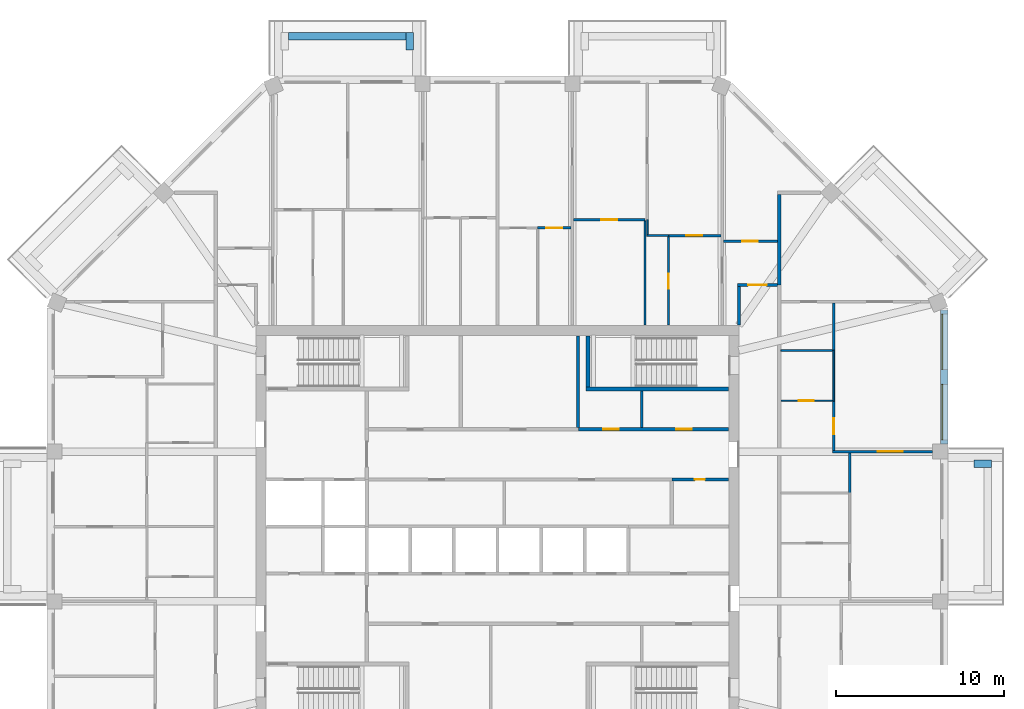
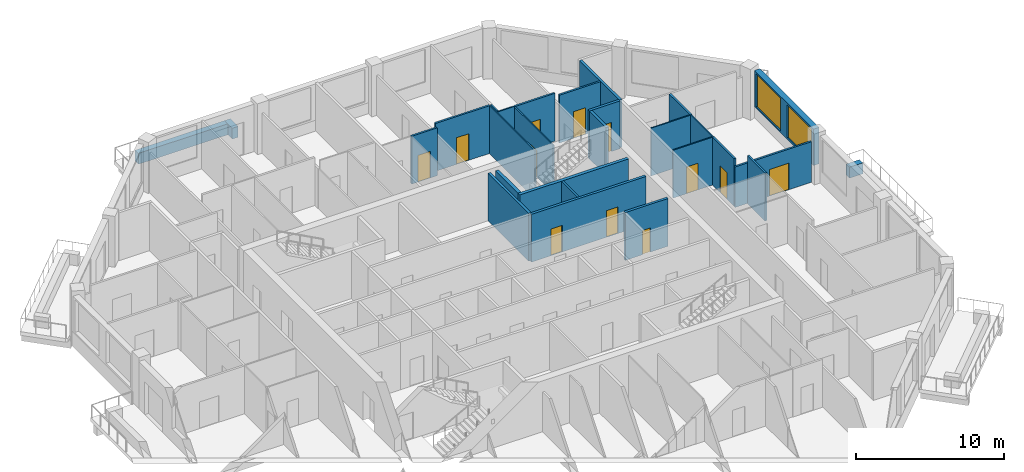
# One storey, part 9 of 13: 28 walls, 12 doors, 2 windows, 14 openings.
"""IFC4 building model written with IfcOpenShell, lengths in metres."""

from ifc_helpers import new_model, si_unit, direction, frame, frame_2d, origin, place, context, subcontext, project, spatial, rectangle, extrude, material, layer, layer_set, type_object, element, fill, save


model = new_model("IFC4")

# Units and contexts
model_context = context("Model", 3, precision=1e-05, world=origin(), true_north=direction((0.0, 1.0)))
body_context = subcontext(model_context, "Body", "Model", "MODEL_VIEW")
ifc_project = project(units=[si_unit("LENGTHUNIT", "METRE"), si_unit("AREAUNIT", "SQUARE_METRE"), si_unit("VOLUMEUNIT", "CUBIC_METRE"), si_unit("PLANEANGLEUNIT", "RADIAN"), si_unit("MASSUNIT", "GRAM", prefix="KILO")], contexts=[model_context])

# Site, building, storey
site_placement = place(None, origin())
site = spatial("IfcSite", under=ifc_project, at=site_placement, CompositionType="ELEMENT")
building_placement = place(site_placement, origin())
building = spatial("IfcBuilding", under=site, at=building_placement, Name="Msitu Wima Residences", CompositionType="ELEMENT")
storey_placement = place(building_placement, frame((0.0, 0.0, 289.5)))
storey = spatial("IfcBuildingStorey", under=building, at=storey_placement, Name="L67", CompositionType="ELEMENT", Elevation=289.5)

# Walls
ifc_material_1 = material(Name="Facing brick")
ifc_layer_1 = layer(ifc_material_1, 0.06494140625, Name="Facing brick")
ifc_material_2 = material(Name="Concrete C40/50", Category="concrete")
ifc_layer_2 = layer(ifc_material_2, 0.156005859375, Name="Concrete C40/50")
ifc_material_3 = material(Name="Waterproofing membrane")
ifc_layer_3 = layer(ifc_material_3, 0.00390625, Name="Waterproofing membrane")
ifc_material_4 = material(Name="Planting soil and planting")
ifc_layer_4 = layer(ifc_material_4, 0.22509765625, Name="Planting soil and planting")
ifc_layer_set_1 = layer_set([ifc_layer_1, ifc_layer_2, ifc_layer_3, ifc_layer_4], Name="Concrete C40/50")
wall_type_1 = type_object("IfcWallType", Name="Balcony planter PLANTER PL450", PredefinedType="USERDEFINED", material=ifc_layer_set_1)
wall_1_placement = place(storey_placement, frame((28.39990234375, 3.74365234375, 0.0), z_axis=(0.0, 0.0, 1.0), x_axis=(1.0, 0.0, 0.0)))
element("IfcWall", 1, at=wall_1_placement, inside=storey, type_object=wall_type_1, Name="Balcony planter E1 L67", ObjectType="PLANTER", PredefinedType="USERDEFINED", context=body_context, shape_type="SweptSolid", body=[
    extrude(rectangle(XDim=1.050048828125, YDim=0.449951171875, at=frame_2d((0.52490234375, 0.0))), origin(), (0.0, 0.0, 1.0), 0.89990234375),
])
wall_2_placement = place(storey_placement, frame((-5.468505859375, 29.22509765625, 0.0), z_axis=(0.0, 0.0, 1.0), x_axis=(-1.0, 0.0, 0.0)))
element("IfcWall", 2, at=wall_2_placement, inside=storey, type_object=wall_type_1, Name="Balcony planter N2 L67", ObjectType="PLANTER", PredefinedType="USERDEFINED", context=body_context, shape_type="SweptSolid", body=[
    extrude(rectangle(XDim=6.9873046875, YDim=0.449951171875, at=frame_2d((3.49365234375, 0.0))), origin(), (0.0, 0.0, 1.0), 0.89990234375),
])
wall_3_placement = place(storey_placement, frame((-5.24365234375, 28.39990234375, 0.0), z_axis=(0.0, 0.0, 1.0), x_axis=(0.0, 1.0, 0.0)))
element("IfcWall", 3, at=wall_3_placement, inside=storey, type_object=wall_type_1, Name="Balcony planter N2 L67", ObjectType="PLANTER", PredefinedType="USERDEFINED", context=body_context, shape_type="SweptSolid", body=[
    extrude(rectangle(XDim=1.050048828125, YDim=0.449951171875, at=frame_2d((0.52490234375, 0.0))), origin(), (0.0, 0.0, 1.0), 0.89990234375),
])

# Wall, openings, windows
ifc_material_5 = material(Name="Brick (red buff mix)", Category="masonry")
ifc_layer_5 = layer(ifc_material_5, 0.449951171875)
ifc_layer_set_2 = layer_set([ifc_layer_5], Name="Brick (red buff mix)")
wall_type_2 = type_object("IfcWallType", Name="Brick infill wall BW450", PredefinedType="SOLIDWALL", material=ifc_layer_set_2)
wall_4_placement = place(storey_placement, frame((26.625, 4.918701171875, 0.89990234375), z_axis=(0.0, 0.0, 1.0), x_axis=(0.0, 1.0, 0.0)))
wall_4 = element("IfcWall", 4, at=wall_4_placement, inside=storey, type_object=wall_type_2, Name="Brick infill wall L67 E2", PredefinedType="SOLIDWALL", context=body_context, shape_type="SweptSolid", body=[
    extrude(rectangle(XDim=8.0, YDim=0.449951171875, at=frame_2d((4.0, 0.0))), origin(), (0.0, 0.0, 1.0), 3.0),
])
opening_1_placement = place(wall_4_placement, frame((0.25, 0.0, 0.14990234375)))
opening_1 = element("IfcOpeningElement", 5, at=opening_1_placement, cuts=wall_4, Name="Opening W65-67.004", PredefinedType="OPENING", context=body_context, shape_type="SweptSolid", body=[
    extrude(rectangle(XDim=3.300048828125, YDim=2.699951171875, at=frame_2d((1.64990234375, 1.35009765625))), frame((0.0, 0.23486328125, 0.0), z_axis=(0.0, -1.0, 0.0), x_axis=(1.0, 0.0, 0.0)), (0.0, 0.0, 1.0), 0.469970703125),
])
opening_2_placement = place(wall_4_placement, frame((4.4501953125, 0.0, 0.14990234375)))
opening_2 = element("IfcOpeningElement", 6, at=opening_2_placement, cuts=wall_4, Name="Opening W65-67.005", PredefinedType="OPENING", context=body_context, shape_type="SweptSolid", body=[
    extrude(rectangle(XDim=3.300048828125, YDim=2.699951171875, at=frame_2d((1.64990234375, 1.35009765625))), frame((0.0, 0.23486328125, 0.0), z_axis=(0.0, -1.0, 0.0), x_axis=(1.0, 0.0, 0.0)), (0.0, 0.0, 1.0), 0.469970703125),
])
ifc_material_6 = material(Name="Anodised aluminium, bronze finish, clear low-emissivity double glazing", Category="aluminium")
window_type = type_object("IfcWindowType", Name="Window W3300x2700", PartitioningType="DOUBLE_PANEL_VERTICAL", PredefinedType="WINDOW", material=ifc_material_6)
window_1_placement = place(opening_1_placement, origin())
window_1 = element("IfcWindow", 7, at=window_1_placement, inside=storey, type_object=window_type, Name="Window L67 E2.1", OverallHeight=2.699951171875, OverallWidth=3.300048828125, PartitioningType="SINGLE_PANEL", PredefinedType="WINDOW", context=body_context, shape_type="SweptSolid", body=[
    extrude(rectangle(XDim=3.300048828125, YDim=2.699951171875, at=frame_2d((1.64990234375, 1.35009765625))), frame((0.0, 0.135009765625, 0.0), z_axis=(0.0, -1.0, 0.0), x_axis=(1.0, 0.0, 0.0)), (0.0, 0.0, 1.0), 0.06005859375),
])
fill(opening_1, window_1)
window_2_placement = place(opening_2_placement, origin())
window_2 = element("IfcWindow", 8, at=window_2_placement, inside=storey, type_object=window_type, Name="Window L67 E2.2", OverallHeight=2.699951171875, OverallWidth=3.300048828125, PartitioningType="SINGLE_PANEL", PredefinedType="WINDOW", context=body_context, shape_type="SweptSolid", body=[
    extrude(rectangle(XDim=3.300048828125, YDim=2.699951171875, at=frame_2d((1.64990234375, 1.35009765625))), frame((0.0, 0.135009765625, 0.0), z_axis=(0.0, -1.0, 0.0), x_axis=(1.0, 0.0, 0.0)), (0.0, 0.0, 1.0), 0.06005859375),
])
fill(opening_2, window_2)

# Wall, openings, doors
ifc_material_7 = material(Name="Plaster")
ifc_layer_6 = layer(ifc_material_7, 0.011962890625, Name="Plaster")
ifc_material_8 = material(Name="Concrete blockwork", Category="masonry")
ifc_layer_7 = layer(ifc_material_8, 0.176025390625, Name="Concrete blockwork")
ifc_layer_8 = layer(ifc_material_7, 0.011962890625, Name="Plaster")
ifc_layer_set_3 = layer_set([ifc_layer_6, ifc_layer_7, ifc_layer_8], Name="Concrete blockwork")
wall_type_3 = type_object("IfcWallType", Name="Corridor wall FW200", PredefinedType="PARTITIONING", material=ifc_layer_set_3)
wall_5_placement = place(storey_placement, frame((4.820068359375, 5.800048828125, 0.0), z_axis=(0.0, 0.0, 1.0), x_axis=(1.0, 0.0, 0.0)))
wall_5 = element("IfcWall", 9, at=wall_5_placement, inside=storey, type_object=wall_type_3, Name="Corridor wall", PredefinedType="PARTITIONING", context=body_context, shape_type="SweptSolid", body=[
    extrude(rectangle(XDim=8.949951171875, YDim=0.199951171875, at=frame_2d((4.47509765625, 0.0))), origin(), (0.0, 0.0, 1.0), 3.949951171875),
])
opening_3_placement = place(wall_5_placement, frame((1.5, 0.0, 0.0)))
opening_3 = element("IfcOpeningElement", 10, at=opening_3_placement, cuts=wall_5, Name="Opening D65-67.081", PredefinedType="OPENING", context=body_context, shape_type="SweptSolid", body=[
    extrude(rectangle(XDim=0.89990234375, YDim=2.199951171875, at=frame_2d((0.449951171875, 1.10009765625))), frame((0.0, 0.10986328125, 0.0), z_axis=(0.0, -1.0, 0.0), x_axis=(1.0, 0.0, 0.0)), (0.0, 0.0, 1.0), 0.219970703125),
])
opening_4_placement = place(wall_5_placement, frame((5.85009765625, 0.0, 0.0)))
opening_4 = element("IfcOpeningElement", 11, at=opening_4_placement, cuts=wall_5, Name="Opening D65-67.082", PredefinedType="OPENING", context=body_context, shape_type="SweptSolid", body=[
    extrude(rectangle(XDim=0.89990234375, YDim=2.199951171875, at=frame_2d((0.449951171875, 1.10009765625))), frame((0.0, 0.10986328125, 0.0), z_axis=(0.0, -1.0, 0.0), x_axis=(1.0, 0.0, 0.0)), (0.0, 0.0, 1.0), 0.219970703125),
])
ifc_material_9 = material(Name="Timber flush door", Category="wood")
door_type_1 = type_object("IfcDoorType", Name="Service door D05 900x2200", OperationType="SINGLE_SWING_LEFT", PredefinedType="DOOR", material=ifc_material_9)
door_1_placement = place(opening_3_placement, origin())
door_1 = element("IfcDoor", 12, at=door_1_placement, inside=storey, type_object=door_type_1, Name="Service door", OperationType="SINGLE_SWING_RIGHT", OverallHeight=2.199951171875, OverallWidth=0.89990234375, PredefinedType="DOOR", context=body_context, shape_type="SweptSolid", body=[
    extrude(rectangle(XDim=0.89990234375, YDim=2.199951171875, at=frame_2d((0.449951171875, 1.10009765625))), frame((0.0, 0.02490234375, 0.0), z_axis=(0.0, -1.0, 0.0), x_axis=(1.0, 0.0, 0.0)), (0.0, 0.0, 1.0), 0.050048828125),
])
fill(opening_3, door_1)
door_2_placement = place(opening_4_placement, origin())
door_2 = element("IfcDoor", 13, at=door_2_placement, inside=storey, type_object=door_type_1, Name="Service door", OperationType="SINGLE_SWING_LEFT", OverallHeight=2.199951171875, OverallWidth=0.89990234375, PredefinedType="DOOR", context=body_context, shape_type="SweptSolid", body=[
    extrude(rectangle(XDim=0.89990234375, YDim=2.199951171875, at=frame_2d((0.449951171875, 1.10009765625))), frame((0.0, 0.02490234375, 0.0), z_axis=(0.0, -1.0, 0.0), x_axis=(1.0, 0.0, 0.0)), (0.0, 0.0, 1.0), 0.050048828125),
])
fill(opening_4, door_2)

# Wall
wall_6_placement = place(storey_placement, frame((14.39990234375, 12.030029296875, 0.0), z_axis=(0.0, 0.0, 1.0), x_axis=(0.0, 1.0, 0.0)))
element("IfcWall", 14, at=wall_6_placement, inside=storey, type_object=wall_type_3, Name="Corridor wall", PredefinedType="PARTITIONING", context=body_context, shape_type="SweptSolid", body=[
    extrude(rectangle(XDim=2.27001953125, YDim=0.199951171875, at=frame_2d((1.135009765625, 0.0))), origin(), (0.0, 0.0, 1.0), 3.949951171875),
])

# Wall, opening, door
wall_7_placement = place(storey_placement, frame((14.300048828125, 14.39990234375, 0.0), z_axis=(0.0, 0.0, 1.0), x_axis=(1.0, 0.0, 0.0)))
wall_7 = element("IfcWall", 15, at=wall_7_placement, inside=storey, type_object=wall_type_3, Name="Corridor wall", PredefinedType="PARTITIONING", context=body_context, shape_type="SweptSolid", body=[
    extrude(rectangle(XDim=2.39990234375, YDim=0.199951171875, at=frame_2d((1.199951171875, 0.0))), origin(), (0.0, 0.0, 1.0), 3.949951171875),
])
opening_5_placement = place(wall_7_placement, frame((0.64990234375, 0.0, 0.0)))
opening_5 = element("IfcOpeningElement", 16, at=opening_5_placement, cuts=wall_7, Name="Opening D65-67.022", PredefinedType="OPENING", context=body_context, shape_type="SweptSolid", body=[
    extrude(rectangle(XDim=1.10009765625, YDim=2.39990234375, at=frame_2d((0.550048828125, 1.199951171875))), frame((0.0, 0.10986328125, 0.0), z_axis=(0.0, -1.0, 0.0), x_axis=(1.0, 0.0, 0.0)), (0.0, 0.0, 1.0), 0.219970703125),
])
ifc_material_10 = material(Name="Timber flush door, fire resisting, self-closing", Category="wood")
door_type_2 = type_object("IfcDoorType", Name="Flat entrance door D01 1100x2400", OperationType="SINGLE_SWING_LEFT", PredefinedType="DOOR", material=ifc_material_10)
door_3_placement = place(opening_5_placement, origin())
door_3 = element("IfcDoor", 17, at=door_3_placement, inside=storey, type_object=door_type_2, Name="Flat entrance door", OperationType="SINGLE_SWING_RIGHT", OverallHeight=2.39990234375, OverallWidth=1.10009765625, PredefinedType="DOOR", context=body_context, shape_type="SweptSolid", body=[
    extrude(rectangle(XDim=1.10009765625, YDim=2.39990234375, at=frame_2d((0.550048828125, 1.199951171875))), frame((0.0, 0.02490234375, 0.0), z_axis=(0.0, -1.0, 0.0), x_axis=(1.0, 0.0, 0.0)), (0.0, 0.0, 1.0), 0.050048828125),
])
fill(opening_5, door_3)

ifc_layer_9 = layer(ifc_material_7, 0.011962890625, Name="Plaster")
ifc_layer_10 = layer(ifc_material_8, 0.1259765625, Name="Concrete blockwork")
ifc_layer_11 = layer(ifc_material_7, 0.011962890625, Name="Plaster")
ifc_layer_set_4 = layer_set([ifc_layer_9, ifc_layer_10, ifc_layer_11], Name="Concrete blockwork")
wall_type_4 = type_object("IfcWallType", Name="Partition PW150", PredefinedType="PARTITIONING", material=ifc_layer_set_4)
wall_8_placement = place(storey_placement, frame((2.39990234375, 17.800048828125, 0.0), z_axis=(0.0, 0.0, 1.0), x_axis=(1.0, 0.0, 0.0)))
wall_8 = element("IfcWall", 18, at=wall_8_placement, inside=storey, type_object=wall_type_4, Name="Partition", PredefinedType="PARTITIONING", context=body_context, shape_type="SweptSolid", body=[
    extrude(rectangle(XDim=1.99365234375, YDim=0.14990234375, at=frame_2d((0.996826171875, 0.0))), origin(), (0.0, 0.0, 1.0), 3.949951171875),
])
opening_6_placement = place(wall_8_placement, frame((0.5, 0.0, 0.0)))
opening_6 = element("IfcOpeningElement", 19, at=opening_6_placement, cuts=wall_8, Name="Opening D65-67.031", PredefinedType="OPENING", context=body_context, shape_type="SweptSolid", body=[
    extrude(rectangle(XDim=0.949951171875, YDim=2.199951171875, at=frame_2d((0.47509765625, 1.10009765625))), frame((0.0, 0.0849609375, 0.0), z_axis=(0.0, -1.0, 0.0), x_axis=(1.0, 0.0, 0.0)), (0.0, 0.0, 1.0), 0.169921875),
])
door_type_3 = type_object("IfcDoorType", Name="Room door D12 950x2200", OperationType="SINGLE_SWING_LEFT", PredefinedType="DOOR", material=ifc_material_9)
door_4_placement = place(opening_6_placement, origin())
door_4 = element("IfcDoor", 20, at=door_4_placement, inside=storey, type_object=door_type_3, Name="Room door", OperationType="SINGLE_SWING_RIGHT", OverallHeight=2.199951171875, OverallWidth=0.949951171875, PredefinedType="DOOR", context=body_context, shape_type="SweptSolid", body=[
    extrude(rectangle(XDim=0.949951171875, YDim=2.199951171875, at=frame_2d((0.47509765625, 1.10009765625))), frame((0.0, 0.02490234375, 0.0), z_axis=(0.0, -1.0, 0.0), x_axis=(1.0, 0.0, 0.0)), (0.0, 0.0, 1.0), 0.050048828125),
])
fill(opening_6, door_4)

wall_9_placement = place(storey_placement, frame((4.543701171875, 18.300048828125, 0.0), z_axis=(0.0, 0.0, 1.0), x_axis=(1.0, 0.0, 0.0)))
wall_9 = element("IfcWall", 21, at=wall_9_placement, inside=storey, type_object=wall_type_4, Name="Partition", PredefinedType="PARTITIONING", context=body_context, shape_type="SweptSolid", body=[
    extrude(rectangle(XDim=4.25634765625, YDim=0.14990234375, at=frame_2d((2.128173828125, 0.0))), origin(), (0.0, 0.0, 1.0), 3.949951171875),
])
opening_7_placement = place(wall_9_placement, frame((1.64990234375, 0.0, 0.0)))
opening_7 = element("IfcOpeningElement", 22, at=opening_7_placement, cuts=wall_9, Name="Opening D65-67.028", PredefinedType="OPENING", context=body_context, shape_type="SweptSolid", body=[
    extrude(rectangle(XDim=0.949951171875, YDim=2.199951171875, at=frame_2d((0.47509765625, 1.10009765625))), frame((0.0, 0.0849609375, 0.0), z_axis=(0.0, -1.0, 0.0), x_axis=(1.0, 0.0, 0.0)), (0.0, 0.0, 1.0), 0.169921875),
])
door_5_placement = place(opening_7_placement, origin())
door_5 = element("IfcDoor", 23, at=door_5_placement, inside=storey, type_object=door_type_3, Name="Room door", OperationType="SINGLE_SWING_LEFT", OverallHeight=2.199951171875, OverallWidth=0.949951171875, PredefinedType="DOOR", context=body_context, shape_type="SweptSolid", body=[
    extrude(rectangle(XDim=0.949951171875, YDim=2.199951171875, at=frame_2d((0.47509765625, 1.10009765625))), frame((0.0, 0.02490234375, 0.0), z_axis=(0.0, -1.0, 0.0), x_axis=(1.0, 0.0, 0.0)), (0.0, 0.0, 1.0), 0.050048828125),
])
fill(opening_7, door_5)

# Wall
wall_10_placement = place(storey_placement, frame((8.60009765625, 5.89990234375, 0.0), z_axis=(0.0, 0.0, 1.0), x_axis=(0.0, 1.0, 0.0)))
element("IfcWall", 24, at=wall_10_placement, inside=storey, type_object=wall_type_4, Name="Partition", PredefinedType="PARTITIONING", context=body_context, shape_type="SweptSolid", body=[
    extrude(rectangle(XDim=2.175048828125, YDim=0.14990234375, at=frame_2d((1.08740234375, 0.0))), origin(), (0.0, 0.0, 1.0), 3.949951171875),
])

# Wall, opening, door
wall_11_placement = place(storey_placement, frame((10.199951171875, 17.35009765625, 0.0), z_axis=(0.0, 0.0, 1.0), x_axis=(1.0, 0.0, 0.0)))
wall_11 = element("IfcWall", 25, at=wall_11_placement, inside=storey, type_object=wall_type_4, Name="Partition", PredefinedType="PARTITIONING", context=body_context, shape_type="SweptSolid", body=[
    extrude(rectangle(XDim=3.130859375, YDim=0.14990234375, at=frame_2d((1.5654296875, 0.0))), origin(), (0.0, 0.0, 1.0), 3.949951171875),
])
opening_8_placement = place(wall_11_placement, frame((1.050048828125, 0.0, 0.0)))
opening_8 = element("IfcOpeningElement", 26, at=opening_8_placement, cuts=wall_11, Name="Opening D65-67.024", PredefinedType="OPENING", context=body_context, shape_type="SweptSolid", body=[
    extrude(rectangle(XDim=0.949951171875, YDim=2.199951171875, at=frame_2d((0.47509765625, 1.10009765625))), frame((0.0, 0.0849609375, 0.0), z_axis=(0.0, -1.0, 0.0), x_axis=(1.0, 0.0, 0.0)), (0.0, 0.0, 1.0), 0.169921875),
])
door_6_placement = place(opening_8_placement, origin())
door_6 = element("IfcDoor", 27, at=door_6_placement, inside=storey, type_object=door_type_3, Name="Room door", OperationType="SINGLE_SWING_RIGHT", OverallHeight=2.199951171875, OverallWidth=0.949951171875, PredefinedType="DOOR", context=body_context, shape_type="SweptSolid", body=[
    extrude(rectangle(XDim=0.949951171875, YDim=2.199951171875, at=frame_2d((0.47509765625, 1.10009765625))), frame((0.0, 0.02490234375, 0.0), z_axis=(0.0, -1.0, 0.0), x_axis=(1.0, 0.0, 0.0)), (0.0, 0.0, 1.0), 0.050048828125),
])
fill(opening_8, door_6)

wall_12_placement = place(storey_placement, frame((13.48095703125, 17.0, 0.0), z_axis=(0.0, 0.0, 1.0), x_axis=(1.0, 0.0, 0.0)))
wall_12 = element("IfcWall", 28, at=wall_12_placement, inside=storey, type_object=wall_type_4, Name="Partition", PredefinedType="PARTITIONING", context=body_context, shape_type="SweptSolid", body=[
    extrude(rectangle(XDim=3.218994140625, YDim=0.14990234375, at=frame_2d((1.609375, 0.0))), origin(), (0.0, 0.0, 1.0), 3.949951171875),
])
opening_9_placement = place(wall_12_placement, frame((1.10009765625, 0.0, 0.0)))
opening_9 = element("IfcOpeningElement", 29, at=opening_9_placement, cuts=wall_12, Name="Opening D65-67.025", PredefinedType="OPENING", context=body_context, shape_type="SweptSolid", body=[
    extrude(rectangle(XDim=0.949951171875, YDim=2.199951171875, at=frame_2d((0.47509765625, 1.10009765625))), frame((0.0, 0.0849609375, 0.0), z_axis=(0.0, -1.0, 0.0), x_axis=(1.0, 0.0, 0.0)), (0.0, 0.0, 1.0), 0.169921875),
])
door_7_placement = place(opening_9_placement, origin())
door_7 = element("IfcDoor", 30, at=door_7_placement, inside=storey, type_object=door_type_3, Name="Room door", OperationType="SINGLE_SWING_LEFT", OverallHeight=2.199951171875, OverallWidth=0.949951171875, PredefinedType="DOOR", context=body_context, shape_type="SweptSolid", body=[
    extrude(rectangle(XDim=0.949951171875, YDim=2.199951171875, at=frame_2d((0.47509765625, 1.10009765625))), frame((0.0, 0.02490234375, 0.0), z_axis=(0.0, -1.0, 0.0), x_axis=(1.0, 0.0, 0.0)), (0.0, 0.0, 1.0), 0.050048828125),
])
fill(opening_9, door_7)

wall_13_placement = place(storey_placement, frame((20.050048828125, 4.543701171875, 0.0), z_axis=(0.0, 0.0, 1.0), x_axis=(0.0, 1.0, 0.0)))
wall_13 = element("IfcWall", 31, at=wall_13_placement, inside=storey, type_object=wall_type_4, Name="Partition", PredefinedType="PARTITIONING", context=body_context, shape_type="SweptSolid", body=[
    extrude(rectangle(XDim=2.936279296875, YDim=0.14990234375, at=frame_2d((1.46826171875, 0.0))), origin(), (0.0, 0.0, 1.0), 3.949951171875),
])
opening_10_placement = place(wall_13_placement, frame((0.949951171875, 0.0, 0.0)))
opening_10 = element("IfcOpeningElement", 32, at=opening_10_placement, cuts=wall_13, Name="Opening D65-67.020", PredefinedType="OPENING", context=body_context, shape_type="SweptSolid", body=[
    extrude(rectangle(XDim=0.949951171875, YDim=2.199951171875, at=frame_2d((0.47509765625, 1.10009765625))), frame((0.0, 0.0849609375, 0.0), z_axis=(0.0, -1.0, 0.0), x_axis=(1.0, 0.0, 0.0)), (0.0, 0.0, 1.0), 0.169921875),
])
door_8_placement = place(opening_10_placement, origin())
door_8 = element("IfcDoor", 33, at=door_8_placement, inside=storey, type_object=door_type_3, Name="Room door", OperationType="SINGLE_SWING_RIGHT", OverallHeight=2.199951171875, OverallWidth=0.949951171875, PredefinedType="DOOR", context=body_context, shape_type="SweptSolid", body=[
    extrude(rectangle(XDim=0.949951171875, YDim=2.199951171875, at=frame_2d((0.47509765625, 1.10009765625))), frame((0.0, 0.02490234375, 0.0), z_axis=(0.0, -1.0, 0.0), x_axis=(1.0, 0.0, 0.0)), (0.0, 0.0, 1.0), 0.050048828125),
])
fill(opening_10, door_8)

wall_14_placement = place(storey_placement, frame((19.97509765625, 4.46875, 0.0), z_axis=(0.0, 0.0, 1.0), x_axis=(1.0, 0.0, 0.0)))
wall_14 = element("IfcWall", 34, at=wall_14_placement, inside=storey, type_object=wall_type_4, Name="Partition", PredefinedType="PARTITIONING", context=body_context, shape_type="SweptSolid", body=[
    extrude(rectangle(XDim=5.974853515625, YDim=0.14990234375, at=frame_2d((2.9873046875, 0.0))), origin(), (0.0, 0.0, 1.0), 3.35009765625),
])
opening_11_placement = place(wall_14_placement, frame((2.699951171875, 0.0, 0.0)))
opening_11 = element("IfcOpeningElement", 35, at=opening_11_placement, cuts=wall_14, Name="Opening D65-67.018", PredefinedType="OPENING", context=body_context, shape_type="SweptSolid", body=[
    extrude(rectangle(XDim=1.5, YDim=2.199951171875, at=frame_2d((0.75, 1.10009765625))), frame((0.0, 0.0849609375, 0.0), z_axis=(0.0, -1.0, 0.0), x_axis=(1.0, 0.0, 0.0)), (0.0, 0.0, 1.0), 0.169921875),
])
ifc_material_11 = material(Name="Timber double door", Category="wood")
door_type_4 = type_object("IfcDoorType", Name="Double door D04 1500x2200", OperationType="DOUBLE_DOOR_SINGLE_SWING", PredefinedType="DOOR", material=ifc_material_11)
door_9_placement = place(opening_11_placement, origin())
door_9 = element("IfcDoor", 36, at=door_9_placement, inside=storey, type_object=door_type_4, Name="Double door", OperationType="DOUBLE_DOOR_SINGLE_SWING", OverallHeight=2.199951171875, OverallWidth=1.5, PredefinedType="DOOR", context=body_context, shape_type="SweptSolid", body=[
    extrude(rectangle(XDim=1.5, YDim=2.199951171875, at=frame_2d((0.75, 1.10009765625))), frame((0.0, 0.02490234375, 0.0), z_axis=(0.0, -1.0, 0.0), x_axis=(1.0, 0.0, 0.0)), (0.0, 0.0, 1.0), 0.050048828125),
])
fill(opening_11, door_9)

# Walls
wall_15_placement = place(storey_placement, frame((20.050048828125, 10.5, 0.0), z_axis=(0.0, 0.0, 1.0), x_axis=(0.0, 1.0, 0.0)))
element("IfcWall", 37, at=wall_15_placement, inside=storey, type_object=wall_type_4, Name="Partition", PredefinedType="PARTITIONING", context=body_context, shape_type="SweptSolid", body=[
    extrude(rectangle(XDim=2.830810546875, YDim=0.14990234375, at=frame_2d((1.41552734375, 0.0))), origin(), (0.0, 0.0, 1.0), 3.949951171875),
])
wall_16_placement = place(storey_placement, frame((21.0, 2.0, 0.0), z_axis=(0.0, 0.0, 1.0), x_axis=(0.0, 1.0, 0.0)))
element("IfcWall", 38, at=wall_16_placement, inside=storey, type_object=wall_type_4, Name="Partition", PredefinedType="PARTITIONING", context=body_context, shape_type="SweptSolid", body=[
    extrude(rectangle(XDim=2.3935546875, YDim=0.14990234375, at=frame_2d((1.19677734375, 0.0))), origin(), (0.0, 0.0, 1.0), 3.949951171875),
])
ifc_layer_12 = layer(ifc_material_7, 0.011962890625, Name="Plaster")
ifc_material_12 = material(Name="Dense concrete blockwork", Category="masonry")
ifc_layer_13 = layer(ifc_material_12, 0.176025390625, Name="Dense concrete blockwork")
ifc_layer_14 = layer(ifc_material_7, 0.011962890625, Name="Plaster")
ifc_layer_set_5 = layer_set([ifc_layer_12, ifc_layer_13, ifc_layer_14], Name="Dense concrete blockwork")
wall_type_5 = type_object("IfcWallType", Name="Party wall PW200", PredefinedType="PARTITIONING", material=ifc_layer_set_5)
wall_17_placement = place(storey_placement, frame((16.800048828125, 14.39990234375, 0.0), z_axis=(0.0, 0.0, 1.0), x_axis=(0.0, 1.0, 0.0)))
element("IfcWall", 39, at=wall_17_placement, inside=storey, type_object=wall_type_5, Name="Party wall", PredefinedType="PARTITIONING", context=body_context, shape_type="SweptSolid", body=[
    extrude(rectangle(XDim=5.403076171875, YDim=0.199951171875, at=frame_2d((2.70166015625, 0.0))), origin(), (0.0, 0.0, 1.0), 3.949951171875),
])
ifc_layer_15 = layer(ifc_material_7, 0.011962890625, Name="Plaster")
ifc_material_13 = material(Name="Reinforced concrete blockwork", Category="masonry")
ifc_layer_16 = layer(ifc_material_13, 0.176025390625, Name="Reinforced concrete blockwork")
ifc_layer_17 = layer(ifc_material_7, 0.011962890625, Name="Plaster")
ifc_layer_set_6 = layer_set([ifc_layer_15, ifc_layer_16, ifc_layer_17], Name="Reinforced concrete blockwork")
wall_type_6 = type_object("IfcWallType", Name="Plant and riser wall PL200", PredefinedType="PARTITIONING", material=ifc_layer_set_6)
wall_18_placement = place(storey_placement, frame((4.800048828125, 5.89990234375, 0.0), z_axis=(0.0, 0.0, 1.0), x_axis=(0.0, 1.0, 0.0)))
element("IfcWall", 40, at=wall_18_placement, inside=storey, type_object=wall_type_6, Name="Plant and riser wall", PredefinedType="PARTITIONING", context=body_context, shape_type="SweptSolid", body=[
    extrude(rectangle(XDim=5.47021484375, YDim=0.199951171875, at=frame_2d((2.735107421875, 0.0))), origin(), (0.0, 0.0, 1.0), 3.949951171875),
])

# Wall, opening, door
wall_19_placement = place(storey_placement, frame((10.419921875, 2.800048828125, 0.0), z_axis=(0.0, 0.0, 1.0), x_axis=(1.0, 0.0, 0.0)))
wall_19 = element("IfcWall", 41, at=wall_19_placement, inside=storey, type_object=wall_type_6, Name="Plant and riser wall", PredefinedType="PARTITIONING", context=body_context, shape_type="SweptSolid", body=[
    extrude(rectangle(XDim=3.35009765625, YDim=0.199951171875, at=frame_2d((1.675048828125, 0.0))), origin(), (0.0, 0.0, 1.0), 3.949951171875),
])
opening_12_placement = place(wall_19_placement, frame((1.35009765625, 0.0, 0.0)))
opening_12 = element("IfcOpeningElement", 42, at=opening_12_placement, cuts=wall_19, Name="Opening D65-67.090", PredefinedType="OPENING", context=body_context, shape_type="SweptSolid", body=[
    extrude(rectangle(XDim=0.60009765625, YDim=2.0, at=frame_2d((0.300048828125, 1.0))), frame((0.0, 0.10986328125, 0.0), z_axis=(0.0, -1.0, 0.0), x_axis=(1.0, 0.0, 0.0)), (0.0, 0.0, 1.0), 0.219970703125),
])
ifc_material_14 = material(Name="Steel access door, fire resisting", Category="steel")
door_type_5 = type_object("IfcDoorType", Name="Riser access door D08 600x2000", OperationType="SINGLE_SWING_LEFT", PredefinedType="DOOR", material=ifc_material_14)
door_10_placement = place(opening_12_placement, origin())
door_10 = element("IfcDoor", 43, at=door_10_placement, inside=storey, type_object=door_type_5, Name="Riser access door", OperationType="SINGLE_SWING_RIGHT", OverallHeight=2.0, OverallWidth=0.60009765625, PredefinedType="DOOR", context=body_context, shape_type="SweptSolid", body=[
    extrude(rectangle(XDim=0.60009765625, YDim=2.0, at=frame_2d((0.300048828125, 1.0))), frame((0.0, 0.02490234375, 0.0), z_axis=(0.0, -1.0, 0.0), x_axis=(1.0, 0.0, 0.0)), (0.0, 0.0, 1.0), 0.050048828125),
])
fill(opening_12, door_10)

# Walls
ifc_material_15 = material(Name="Concrete C50/60", Category="concrete")
ifc_layer_18 = layer(ifc_material_15, 0.25)
ifc_layer_set_7 = layer_set([ifc_layer_18], Name="Concrete C50/60")
wall_type_7 = type_object("IfcWallType", Name="Stair enclosure wall SW250", PredefinedType="SHEAR", material=ifc_layer_set_7)
wall_20_placement = place(storey_placement, frame((5.39990234375, 8.324951171875, 0.0), z_axis=(0.0, 0.0, 1.0), x_axis=(0.0, 1.0, 0.0)))
element("IfcWall", 44, at=wall_20_placement, inside=storey, type_object=wall_type_7, Name="Stair enclosure wall", PredefinedType="SHEAR", context=body_context, shape_type="SweptSolid", body=[
    extrude(rectangle(XDim=3.045166015625, YDim=0.25, at=frame_2d((1.5224609375, 0.0))), origin(), (0.0, 0.0, 1.0), 3.949951171875),
])
wall_21_placement = place(storey_placement, frame((5.27490234375, 8.199951171875, 0.0), z_axis=(0.0, 0.0, 1.0), x_axis=(1.0, 0.0, 0.0)))
element("IfcWall", 45, at=wall_21_placement, inside=storey, type_object=wall_type_7, Name="Stair enclosure wall", PredefinedType="SHEAR", context=body_context, shape_type="SweptSolid", body=[
    extrude(rectangle(XDim=8.4951171875, YDim=0.25, at=frame_2d((4.24755859375, 0.0))), origin(), (0.0, 0.0, 1.0), 3.949951171875),
])
ifc_material_16 = material(Name="Ceramic tiles")
ifc_layer_19 = layer(ifc_material_16, 0.008056640625, Name="Ceramic tiles")
ifc_material_17 = material(Name="Moisture-resistant board")
ifc_layer_20 = layer(ifc_material_17, 0.012451171875, Name="Moisture-resistant board")
ifc_material_18 = material(Name="Light-gauge stud framing with mineral wool")
ifc_layer_21 = layer(ifc_material_18, 0.06689453125, Name="Light-gauge stud framing with mineral wool")
ifc_layer_22 = layer(ifc_material_17, 0.012451171875, Name="Moisture-resistant board")
ifc_layer_set_8 = layer_set([ifc_layer_19, ifc_layer_20, ifc_layer_21, ifc_layer_22], Name="Light-gauge stud framing with mineral wool")
wall_type_8 = type_object("IfcWallType", Name="Wet wall PW100", PredefinedType="PARTITIONING", material=ifc_layer_set_8)
wall_22_placement = place(storey_placement, frame((8.800048828125, 12.030029296875, 0.0), z_axis=(0.0, 0.0, 1.0), x_axis=(0.0, 1.0, 0.0)))
element("IfcWall", 46, at=wall_22_placement, inside=storey, type_object=wall_type_8, Name="Wet wall", PredefinedType="PARTITIONING", context=body_context, shape_type="SweptSolid", body=[
    extrude(rectangle(XDim=6.195068359375, YDim=0.10009765625, at=frame_2d((3.09765625, 0.0))), origin(), (0.0, 0.0, 1.0), 3.949951171875),
])
wall_23_placement = place(storey_placement, frame((8.937255859375, 17.39990234375, 0.0), z_axis=(0.0, 0.0, 1.0), x_axis=(0.0, 1.0, 0.0)))
element("IfcWall", 47, at=wall_23_placement, inside=storey, type_object=wall_type_8, Name="Wet wall", PredefinedType="PARTITIONING", context=body_context, shape_type="SweptSolid", body=[
    extrude(rectangle(XDim=0.900146484375, YDim=0.10009765625, at=frame_2d((0.4501953125, 0.0))), origin(), (0.0, 0.0, 1.0), 3.949951171875),
])
wall_24_placement = place(storey_placement, frame((8.88720703125, 17.35009765625, 0.0), z_axis=(0.0, 0.0, 1.0), x_axis=(1.0, 0.0, 0.0)))
element("IfcWall", 48, at=wall_24_placement, inside=storey, type_object=wall_type_8, Name="Wet wall", PredefinedType="PARTITIONING", context=body_context, shape_type="SweptSolid", body=[
    extrude(rectangle(XDim=1.312744140625, YDim=0.10009765625, at=frame_2d((0.65625, 0.0))), origin(), (0.0, 0.0, 1.0), 3.949951171875),
])

# Wall, opening, door
wall_25_placement = place(storey_placement, frame((10.199951171875, 12.030029296875, 0.0), z_axis=(0.0, 0.0, 1.0), x_axis=(0.0, 1.0, 0.0)))
wall_25 = element("IfcWall", 49, at=wall_25_placement, inside=storey, type_object=wall_type_8, Name="Wet wall", PredefinedType="PARTITIONING", context=body_context, shape_type="SweptSolid", body=[
    extrude(rectangle(XDim=5.244873046875, YDim=0.10009765625, at=frame_2d((2.62255859375, 0.0))), origin(), (0.0, 0.0, 1.0), 3.949951171875),
])
opening_13_placement = place(wall_25_placement, frame((2.14990234375, 0.0, 0.0)))
opening_13 = element("IfcOpeningElement", 50, at=opening_13_placement, cuts=wall_25, Name="Opening D65-67.026", PredefinedType="OPENING", context=body_context, shape_type="SweptSolid", body=[
    extrude(rectangle(XDim=0.89990234375, YDim=2.199951171875, at=frame_2d((0.449951171875, 1.10009765625))), frame((0.0, 0.06005859375, 0.0), z_axis=(0.0, -1.0, 0.0), x_axis=(1.0, 0.0, 0.0)), (0.0, 0.0, 1.0), 0.1201171875),
])
ifc_material_19 = material(Name="Timber flush door, moisture resistant", Category="wood")
door_type_6 = type_object("IfcDoorType", Name="Bathroom door D03 900x2200", OperationType="SINGLE_SWING_LEFT", PredefinedType="DOOR", material=ifc_material_19)
door_11_placement = place(opening_13_placement, origin())
door_11 = element("IfcDoor", 51, at=door_11_placement, inside=storey, type_object=door_type_6, Name="Bathroom door", OperationType="SINGLE_SWING_LEFT", OverallHeight=2.199951171875, OverallWidth=0.89990234375, PredefinedType="DOOR", context=body_context, shape_type="SweptSolid", body=[
    extrude(rectangle(XDim=0.89990234375, YDim=2.199951171875, at=frame_2d((0.449951171875, 1.10009765625))), frame((0.0, 0.02490234375, 0.0), z_axis=(0.0, -1.0, 0.0), x_axis=(1.0, 0.0, 0.0)), (0.0, 0.0, 1.0), 0.050048828125),
])
fill(opening_13, door_11)

wall_26_placement = place(storey_placement, frame((16.89990234375, 7.5, 0.0), z_axis=(0.0, 0.0, 1.0), x_axis=(1.0, 0.0, 0.0)))
wall_26 = element("IfcWall", 52, at=wall_26_placement, inside=storey, type_object=wall_type_8, Name="Wet wall", PredefinedType="PARTITIONING", context=body_context, shape_type="SweptSolid", body=[
    extrude(rectangle(XDim=3.0751953125, YDim=0.10009765625, at=frame_2d((1.53759765625, 0.0))), origin(), (0.0, 0.0, 1.0), 3.949951171875),
])
opening_14_placement = place(wall_26_placement, frame((1.050048828125, 0.0, 0.0)))
opening_14 = element("IfcOpeningElement", 53, at=opening_14_placement, cuts=wall_26, Name="Opening D65-67.021", PredefinedType="OPENING", context=body_context, shape_type="SweptSolid", body=[
    extrude(rectangle(XDim=0.89990234375, YDim=2.199951171875, at=frame_2d((0.449951171875, 1.10009765625))), frame((0.0, 0.06005859375, 0.0), z_axis=(0.0, -1.0, 0.0), x_axis=(1.0, 0.0, 0.0)), (0.0, 0.0, 1.0), 0.1201171875),
])
door_12_placement = place(opening_14_placement, origin())
door_12 = element("IfcDoor", 54, at=door_12_placement, inside=storey, type_object=door_type_1, Name="Service door", OperationType="SINGLE_SWING_RIGHT", OverallHeight=2.199951171875, OverallWidth=0.89990234375, PredefinedType="DOOR", context=body_context, shape_type="SweptSolid", body=[
    extrude(rectangle(XDim=0.89990234375, YDim=2.199951171875, at=frame_2d((0.449951171875, 1.10009765625))), frame((0.0, 0.02490234375, 0.0), z_axis=(0.0, -1.0, 0.0), x_axis=(1.0, 0.0, 0.0)), (0.0, 0.0, 1.0), 0.050048828125),
])
fill(opening_14, door_12)

# Walls
wall_27_placement = place(storey_placement, frame((16.89990234375, 10.5, 0.0), z_axis=(0.0, 0.0, 1.0), x_axis=(1.0, 0.0, 0.0)))
element("IfcWall", 55, at=wall_27_placement, inside=storey, type_object=wall_type_8, Name="Wet wall", PredefinedType="PARTITIONING", context=body_context, shape_type="SweptSolid", body=[
    extrude(rectangle(XDim=3.0751953125, YDim=0.10009765625, at=frame_2d((1.53759765625, 0.0))), origin(), (0.0, 0.0, 1.0), 3.949951171875),
])
wall_28_placement = place(storey_placement, frame((20.050048828125, 7.47998046875, 0.0), z_axis=(0.0, 0.0, 1.0), x_axis=(0.0, 1.0, 0.0)))
element("IfcWall", 56, at=wall_28_placement, inside=storey, type_object=wall_type_8, Name="Wet wall", PredefinedType="PARTITIONING", context=body_context, shape_type="SweptSolid", body=[
    extrude(rectangle(XDim=3.02001953125, YDim=0.10009765625, at=frame_2d((1.510009765625, 0.0))), origin(), (0.0, 0.0, 1.0), 3.949951171875),
])

save(model, "model.ifc")
